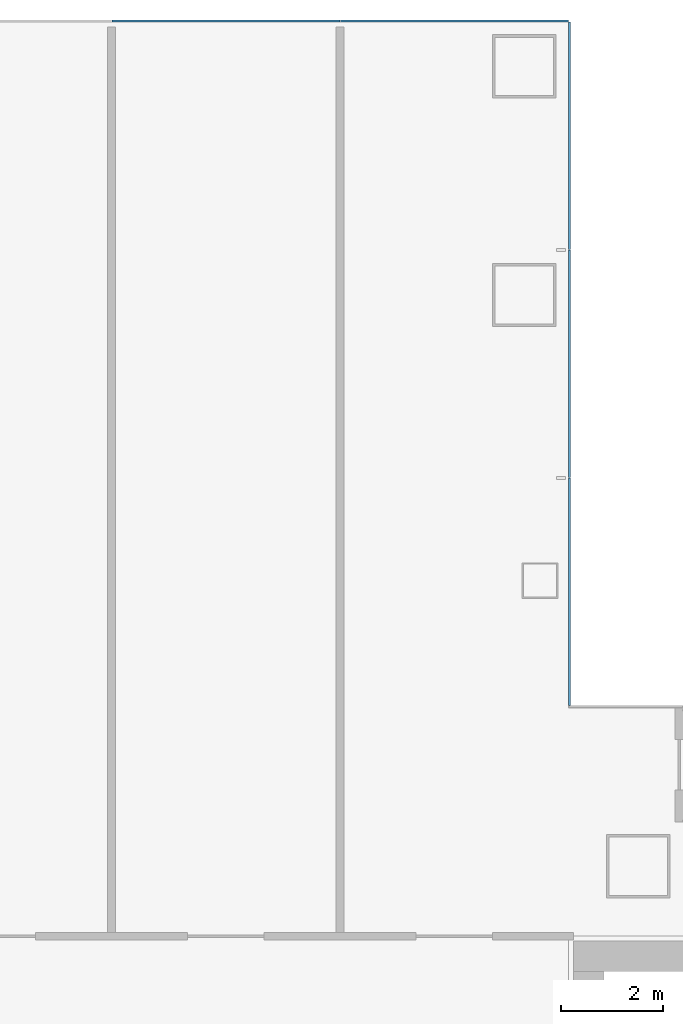
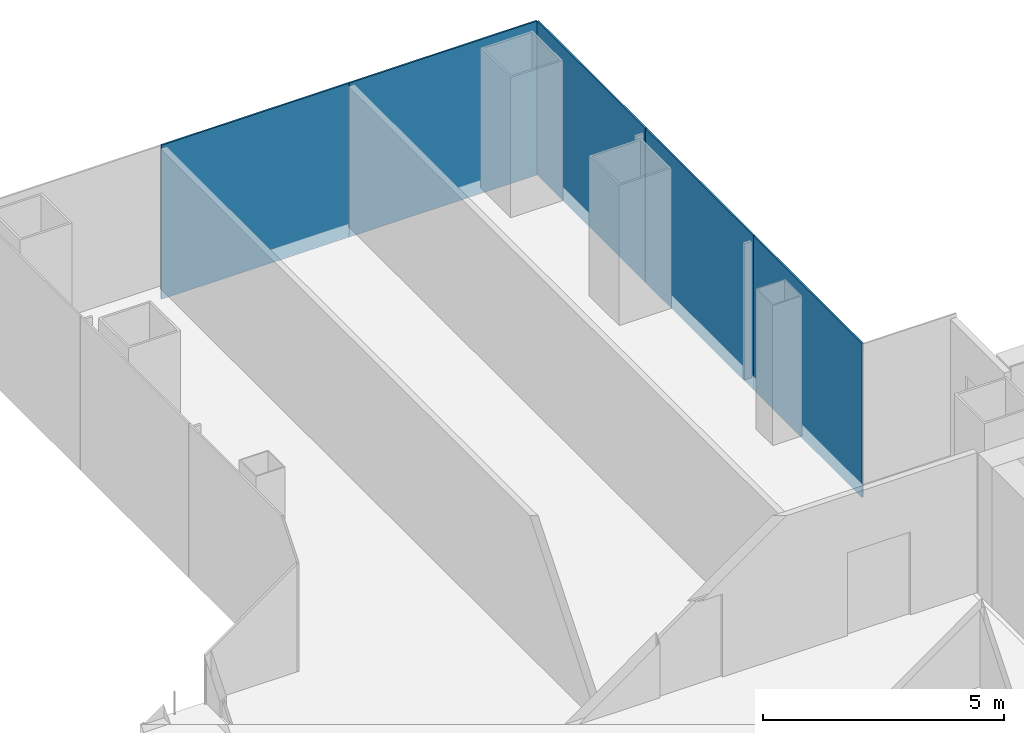
# One storey, part 11 of 20: 5 plates, 2 elements without a shape of their own.
"""IFC4 building model written with IfcOpenShell, lengths in metres."""

from ifc_helpers import new_model, si_unit, direction, frame, origin, origin_2d, place, context, subcontext, project, spatial, rectangle, extrude, material, layer, layer_set, type_object, element, aggregate, save


model = new_model("IFC4")

# Units and contexts
model_context = context("Model", 3, precision=1e-05, world=origin(), true_north=direction((0.0, 1.0)))
body_context = subcontext(model_context, "Body", "Model", "MODEL_VIEW")
ifc_project = project(units=[si_unit("LENGTHUNIT", "METRE"), si_unit("AREAUNIT", "SQUARE_METRE"), si_unit("VOLUMEUNIT", "CUBIC_METRE"), si_unit("PLANEANGLEUNIT", "RADIAN"), si_unit("MASSUNIT", "GRAM", prefix="KILO")], contexts=[model_context])

# Site, building, storey
site_placement = place(None, origin())
site = spatial("IfcSite", under=ifc_project, at=site_placement, CompositionType="ELEMENT")
building_placement = place(site_placement, origin())
building = spatial("IfcBuilding", under=site, at=building_placement, Name="Shamsa Quay Exchange Towers", CompositionType="ELEMENT")
storey_placement = place(building_placement, frame((0.0, 0.0, 120.89990234375)))
storey = spatial("IfcBuildingStorey", under=building, at=storey_placement, Name="L28", CompositionType="ELEMENT", Elevation=120.89990234375)

# Curtain wall, plates
ifc_material_1 = material(Name="Aluminium EN AW-6063 T6, black anodised", Category="aluminium")
ifc_layer_1 = layer(ifc_material_1, 0.280029296875)
ifc_layer_set_1 = layer_set([ifc_layer_1], Name="CW-1 UNITISED VISION GLASS")
curtain_wall_type = type_object("IfcCurtainWallType", Name="CW-1 UNITISED VISION GLASS", PredefinedType="NOTDEFINED", material=ifc_layer_set_1)
curtain_wall_1_placement = place(storey_placement, origin())
curtain_wall_1 = element("IfcCurtainWall", 1, at=curtain_wall_1_placement, inside=storey, type_object=curtain_wall_type, Name="CW1 T2-FLK-U+S L28", PredefinedType="NOTDEFINED")
ifc_material_2 = material(Name="Glass, laminated, dark tinted", Category="glass")
ifc_layer_2 = layer(ifc_material_2, 0.0400390625)
ifc_layer_set_2 = layer_set([ifc_layer_2], Name="CW-1 VISION GLASS 40")
plate_type = type_object("IfcPlateType", Name="CW-1 VISION GLASS 40", PredefinedType="CURTAIN_PANEL", material=ifc_layer_set_2)
plate_1_placement = place(storey_placement, frame((40.52001953125, 13.529052734375, -0.349853515625), z_axis=(0.0, 0.0, 1.0), x_axis=(0.0, 1.0, 0.0)))
plate_1 = element("IfcPlate", 2, at=plate_1_placement, type_object=plate_type, Name="CW1 glass panel", PredefinedType="CURTAIN_PANEL", context=body_context, shape_type="SweptSolid", body=[
    extrude(rectangle(XDim=4.482421875, YDim=0.0400390625, at=origin_2d()), origin(), (0.0, 0.0, 1.0), 3.89990234375),
])
plate_2_placement = place(storey_placement, frame((40.52001953125, 18.01904296875, -0.349853515625), z_axis=(0.0, 0.0, 1.0), x_axis=(0.0, 1.0, 0.0)))
plate_2 = element("IfcPlate", 3, at=plate_2_placement, type_object=plate_type, Name="CW1 glass panel", PredefinedType="CURTAIN_PANEL", context=body_context, shape_type="SweptSolid", body=[
    extrude(rectangle(XDim=4.477294921875, YDim=0.0400390625, at=origin_2d()), origin(), (0.0, 0.0, 1.0), 3.89990234375),
])
plate_3_placement = place(storey_placement, frame((40.52001953125, 22.5087890625, -0.349853515625), z_axis=(0.0, 0.0, 1.0), x_axis=(0.0, 1.0, 0.0)))
plate_3 = element("IfcPlate", 4, at=plate_3_placement, type_object=plate_type, Name="CW1 glass panel", PredefinedType="CURTAIN_PANEL", context=body_context, shape_type="SweptSolid", body=[
    extrude(rectangle(XDim=4.482421875, YDim=0.0400390625, at=origin_2d()), origin(), (0.0, 0.0, 1.0), 3.89990234375),
])
aggregate(curtain_wall_1, [plate_1, plate_2, plate_3])

curtain_wall_2_placement = place(storey_placement, origin())
curtain_wall_2 = element("IfcCurtainWall", 5, at=curtain_wall_2_placement, inside=storey, type_object=curtain_wall_type, Name="CW1 T2-END-U+ L28", PredefinedType="NOTDEFINED")
plate_4_placement = place(storey_placement, frame((38.25244140625, 24.77001953125, -0.349853515625), z_axis=(0.0, 0.0, 1.0), x_axis=(-1.0, 0.0, 0.0)))
plate_4 = element("IfcPlate", 6, at=plate_4_placement, type_object=plate_type, Name="CW1 glass panel", PredefinedType="CURTAIN_PANEL", context=body_context, shape_type="SweptSolid", body=[
    extrude(rectangle(XDim=4.4951171875, YDim=0.0400390625, at=origin_2d()), origin(), (0.0, 0.0, 1.0), 3.89990234375),
])
plate_5_placement = place(storey_placement, frame((33.75, 24.77001953125, -0.349853515625), z_axis=(0.0, 0.0, 1.0), x_axis=(-1.0, 0.0, 0.0)))
plate_5 = element("IfcPlate", 7, at=plate_5_placement, type_object=plate_type, Name="CW1 glass panel", PredefinedType="CURTAIN_PANEL", context=body_context, shape_type="SweptSolid", body=[
    extrude(rectangle(XDim=4.489990234375, YDim=0.0400390625, at=origin_2d()), origin(), (0.0, 0.0, 1.0), 3.89990234375),
])
aggregate(curtain_wall_2, [plate_4, plate_5])

save(model, "model.ifc")
